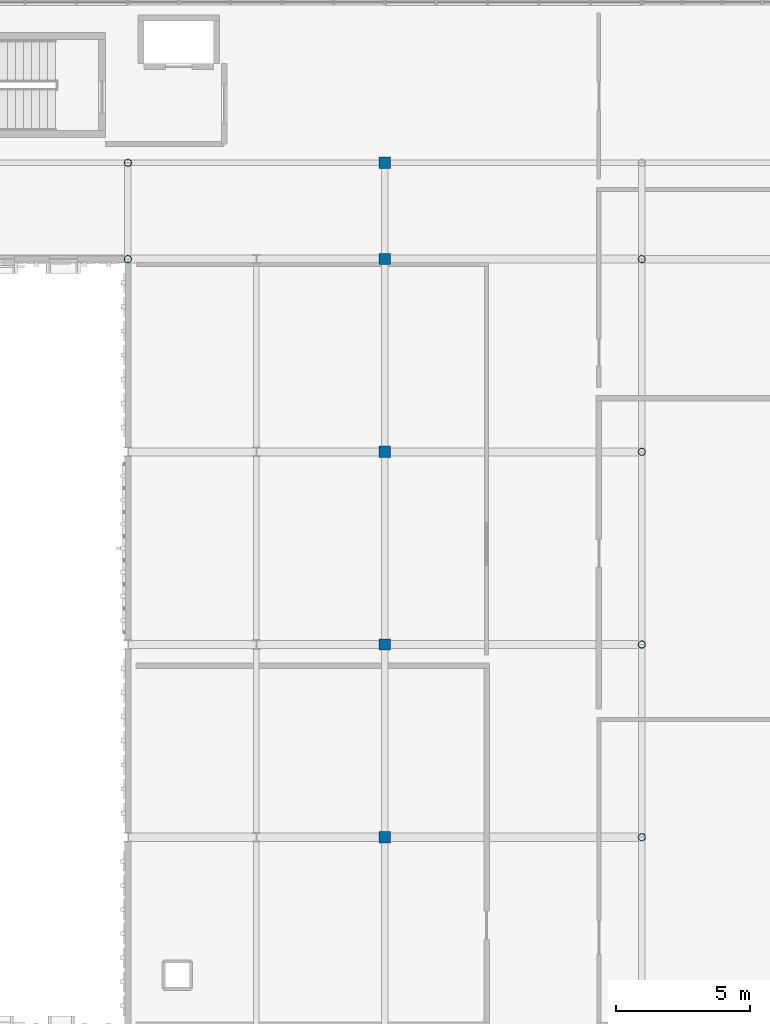
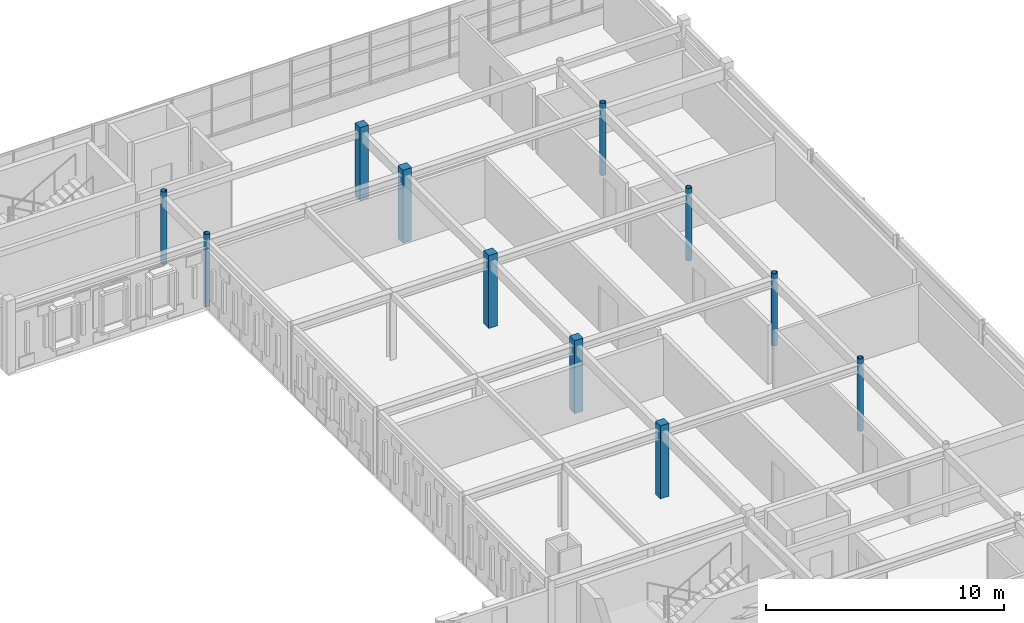
# One storey, part 7 of 46: 11 columns.
"""IFC4 building model written with IfcOpenShell, lengths in metres."""

from ifc_helpers import new_model, si_unit, direction, frame, origin, origin_2d, place, context, subcontext, project, spatial, rectangle, hollow_circle, extrude, material, material_profile, profile_set, type_object, element, save


model = new_model("IFC4")

# Units and contexts
model_context = context("Model", 3, precision=1e-05, world=origin(), true_north=direction((0.0, 1.0)))
body_context = subcontext(model_context, "Body", "Model", "MODEL_VIEW")
ifc_project = project(units=[si_unit("LENGTHUNIT", "METRE"), si_unit("AREAUNIT", "SQUARE_METRE"), si_unit("VOLUMEUNIT", "CUBIC_METRE"), si_unit("PLANEANGLEUNIT", "RADIAN"), si_unit("MASSUNIT", "GRAM", prefix="KILO")], contexts=[model_context])

# Site, building, storey
site_placement = place(None, origin())
site = spatial("IfcSite", under=ifc_project, at=site_placement, CompositionType="ELEMENT")
building_placement = place(site_placement, origin())
building = spatial("IfcBuilding", under=site, at=building_placement, Name="Nzembalo Square Collegiate School", CompositionType="ELEMENT")
storey_placement = place(building_placement, frame((0.0, 0.0, 17.340087890625)))
storey = spatial("IfcBuildingStorey", under=building, at=storey_placement, Name="L04", CompositionType="ELEMENT", Elevation=17.340087890625)

# Columns
ifc_material_1 = material(Name="Glulam GL28h", Category="wood")
ifc_material_profile_1 = material_profile(ifc_material_1, rectangle(XDim=0.419921875, YDim=0.419921875, at=origin_2d()), Name="GL28h 420x420")
ifc_profile_set_1 = profile_set([ifc_material_profile_1], Name="Glulam GL28h")
column_type_1 = type_object("IfcColumnType", Name="C06", PredefinedType="COLUMN", material=ifc_profile_set_1)
for number, where, z_axis, x_axis, name in (
    (1, (150.0, 57.60009765625, 0.0), (0.0, 0.0, 1.0), (1.0, 0.0, 0.0), "Column C06 L04 22/I"),
    (2, (150.0, 64.800048828125, 0.0), (0.0, 0.0, 1.0), (1.0, 0.0, 0.0), "Column C06 L04 22/J"),
    (3, (150.0, 72.0, 0.0), (0.0, 0.0, 1.0), (1.0, 0.0, 0.0), "Column C06 L04 22/K"),
    (4, (150.0, 79.199951171875, 0.0), (0.0, 0.0, 1.0), (1.0, 0.0, 0.0), "Column C06 L04 22/L"),
    (5, (150.0, 82.800048828125, 0.0), (0.0, 0.0, 1.0), (1.0, 0.0, 0.0), "Column C06 L04 22/M"),
):
    element("IfcColumn", number, at=place(storey_placement, frame(where, z_axis=z_axis, x_axis=x_axis)), inside=storey, type_object=column_type_1, Name=name, PredefinedType="COLUMN", context=body_context, shape_type="SweptSolid", body=[
        extrude(rectangle(XDim=0.419921875, YDim=0.419921875, at=origin_2d()), origin(), (0.0, 0.0, 1.0), 3.739990234375),
    ])
ifc_material_2 = material(Name="Steel S355", Category="steel")
ifc_material_profile_2 = material_profile(ifc_material_2, hollow_circle(Radius=0.136474609375, WallThickness=0.011962890625, at=origin_2d()), Name="CHS 273x12")
ifc_profile_set_2 = profile_set([ifc_material_profile_2], Name="Steel S355")
column_type_2 = type_object("IfcColumnType", Name="C09", PredefinedType="COLUMN", material=ifc_profile_set_2)
for number, where, z_axis, x_axis, name in (
    (6, (140.39990234375, 79.199951171875, 0.0), (0.0, 0.0, 1.0), (1.0, 0.0, 0.0), "Column C09 L04 21/L"),
    (7, (140.39990234375, 82.800048828125, 0.0), (0.0, 0.0, 1.0), (1.0, 0.0, 0.0), "Column C09 L04 21/M"),
    (8, (159.60009765625, 57.60009765625, 0.0), (0.0, 0.0, 1.0), (1.0, 0.0, 0.0), "Column C09 L04 23/I"),
    (9, (159.60009765625, 64.800048828125, 0.0), (0.0, 0.0, 1.0), (1.0, 0.0, 0.0), "Column C09 L04 23/J"),
    (10, (159.60009765625, 72.0, 0.0), (0.0, 0.0, 1.0), (1.0, 0.0, 0.0), "Column C09 L04 23/K"),
    (11, (159.60009765625, 79.199951171875, 0.0), (0.0, 0.0, 1.0), (1.0, 0.0, 0.0), "Column C09 L04 23/L"),
):
    element("IfcColumn", number, at=place(storey_placement, frame(where, z_axis=z_axis, x_axis=x_axis)), inside=storey, type_object=column_type_2, Name=name, PredefinedType="COLUMN", context=body_context, shape_type="SweptSolid", body=[
        extrude(hollow_circle(Radius=0.136474609375, WallThickness=0.011962890625, at=origin_2d()), origin(), (0.0, 0.0, 1.0), 3.699951171875),
    ])

save(model, "model.ifc")
